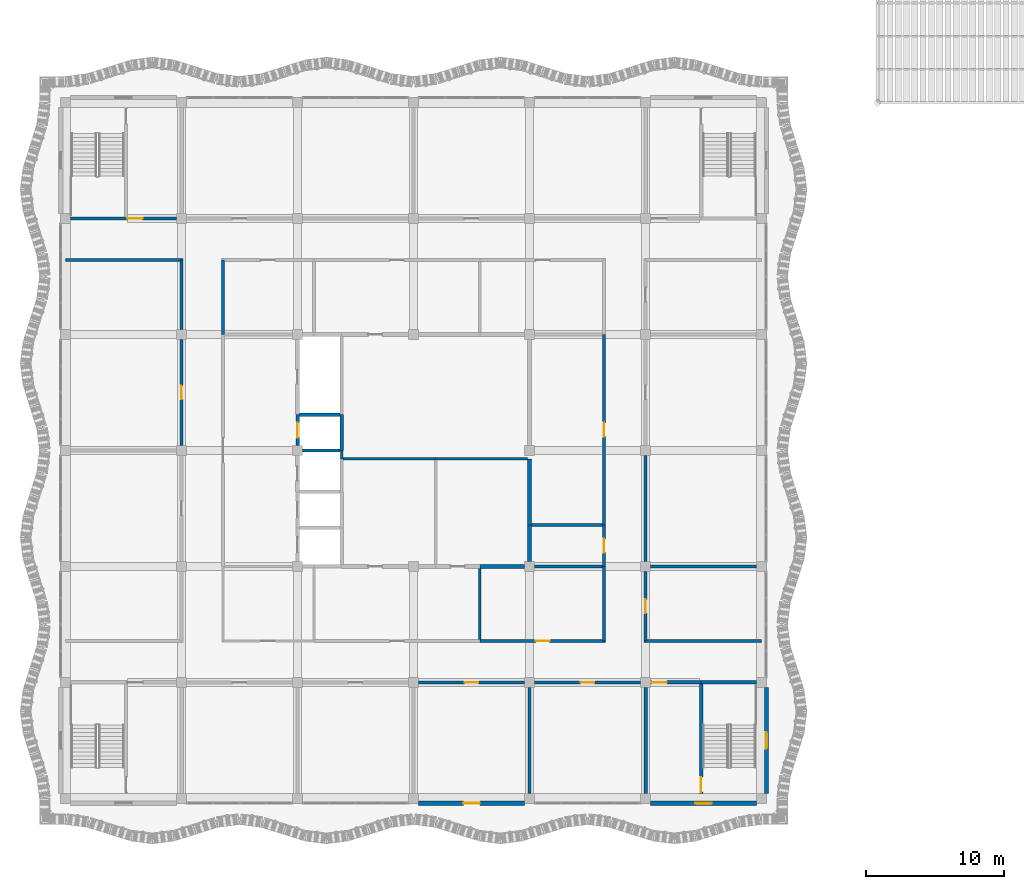
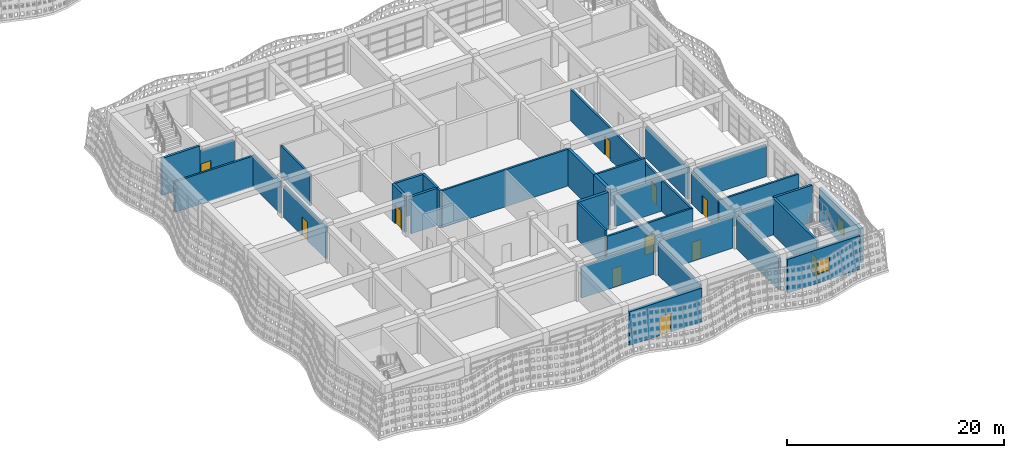
# One storey, part 79 of 162: 37 walls, 12 doors, 2 windows, 14 openings.
"""IFC4 building model written with IfcOpenShell, lengths in metres."""

from ifc_helpers import new_model, si_unit, direction, frame, frame_2d, origin, place, context, subcontext, project, spatial, rectangle, extrude, material, layer, layer_set, type_object, element, fill, save


model = new_model("IFC4")

# Units and contexts
model_context = context("Model", 3, precision=1e-05, world=origin(), true_north=direction((0.0, 1.0)))
body_context = subcontext(model_context, "Body", "Model", "MODEL_VIEW")
ifc_project = project(units=[si_unit("LENGTHUNIT", "METRE"), si_unit("AREAUNIT", "SQUARE_METRE"), si_unit("VOLUMEUNIT", "CUBIC_METRE"), si_unit("PLANEANGLEUNIT", "RADIAN"), si_unit("MASSUNIT", "GRAM", prefix="KILO")], contexts=[model_context])

# Site, building, storey
site_placement = place(None, origin())
site = spatial("IfcSite", under=ifc_project, at=site_placement, CompositionType="ELEMENT")
building_placement = place(site_placement, origin())
building = spatial("IfcBuilding", under=site, at=building_placement, Name="Rain Tree Exposition and Congress Centre", CompositionType="ELEMENT")
storey_placement = place(building_placement, frame((0.0, 0.0, 6.0)))
storey = spatial("IfcBuildingStorey", under=building, at=storey_placement, Name="L01", CompositionType="ELEMENT", Elevation=6.0)

# Wall, opening, door
ifc_material_1 = material(Name="Plasterboard on steel stud", Category="steel")
ifc_layer_1 = layer(ifc_material_1, 0.199951171875)
ifc_layer_set_1 = layer_set([ifc_layer_1], Name="Plasterboard on steel stud")
wall_type_1 = type_object("IfcWallType", Name="Wing acoustic partition 200", PredefinedType="PARTITIONING", material=ifc_layer_set_1)
wall_1_placement = place(storey_placement, frame((25.550048828125, 8.39990234375, 0.0), z_axis=(0.0, 0.0, 1.0), x_axis=(1.0, 0.0, 0.0)))
wall_1 = element("IfcWall", 1, at=wall_1_placement, inside=storey, type_object=wall_type_1, Name="wing/wall/L01/005", PredefinedType="PARTITIONING", context=body_context, shape_type="SweptSolid", body=[
    extrude(rectangle(XDim=7.699951171875, YDim=0.199951171875, at=frame_2d((3.85009765625, 0.0))), origin(), (0.0, 0.0, 1.0), 3.550048828125),
])
opening_1_placement = place(wall_1_placement, frame((3.35009765625, 0.0, 0.0)))
opening_1 = element("IfcOpeningElement", 2, at=opening_1_placement, cuts=wall_1, Name="Opening DW223", PredefinedType="OPENING", context=body_context, shape_type="SweptSolid", body=[
    extrude(rectangle(XDim=1.0, YDim=2.10009765625, at=frame_2d((0.5, 1.050048828125))), frame((0.0, 0.10009765625, 0.0), z_axis=(0.0, -1.0, 0.0), x_axis=(1.0, 0.0, 0.0)), (0.0, 0.0, 1.0), 0.199951171875),
])
ifc_material_2 = material(Name="Timber door leaf", Category="wood")
door_type_1 = type_object("IfcDoorType", Name="Wing door FD30S 1000x2100", OperationType="NOTDEFINED", PredefinedType="DOOR", material=ifc_material_2)
door_1_placement = place(opening_1_placement, origin())
door_1 = element("IfcDoor", 3, at=door_1_placement, inside=storey, type_object=door_type_1, Name="Door DW223", OperationType="SINGLE_SWING_LEFT", OverallHeight=2.10009765625, OverallWidth=1.0, PredefinedType="DOOR", context=body_context, shape_type="SweptSolid", body=[
    extrude(rectangle(XDim=1.0, YDim=2.10009765625, at=frame_2d((0.5, 1.050048828125))), frame((0.0, 0.02490234375, 0.0), z_axis=(0.0, -1.0, 0.0), x_axis=(1.0, 0.0, 0.0)), (0.0, 0.0, 1.0), 0.050048828125),
])
fill(opening_1, door_1)

wall_2_placement = place(storey_placement, frame((33.949951171875, 8.39990234375, 0.0), z_axis=(0.0, 0.0, 1.0), x_axis=(1.0, 0.0, 0.0)))
wall_2 = element("IfcWall", 4, at=wall_2_placement, inside=storey, type_object=wall_type_1, Name="wing/wall/L01/006", PredefinedType="PARTITIONING", context=body_context, shape_type="SweptSolid", body=[
    extrude(rectangle(XDim=7.699951171875, YDim=0.199951171875, at=frame_2d((3.85009765625, 0.0))), origin(), (0.0, 0.0, 1.0), 3.550048828125),
])
opening_2_placement = place(wall_2_placement, frame((3.35009765625, 0.0, 0.0)))
opening_2 = element("IfcOpeningElement", 5, at=opening_2_placement, cuts=wall_2, Name="Opening DW224", PredefinedType="OPENING", context=body_context, shape_type="SweptSolid", body=[
    extrude(rectangle(XDim=1.0, YDim=2.10009765625, at=frame_2d((0.5, 1.050048828125))), frame((0.0, 0.10009765625, 0.0), z_axis=(0.0, -1.0, 0.0), x_axis=(1.0, 0.0, 0.0)), (0.0, 0.0, 1.0), 0.199951171875),
])
door_2_placement = place(opening_2_placement, origin())
door_2 = element("IfcDoor", 6, at=door_2_placement, inside=storey, type_object=door_type_1, Name="Door DW224", OperationType="SINGLE_SWING_LEFT", OverallHeight=2.10009765625, OverallWidth=1.0, PredefinedType="DOOR", context=body_context, shape_type="SweptSolid", body=[
    extrude(rectangle(XDim=1.0, YDim=2.10009765625, at=frame_2d((0.5, 1.050048828125))), frame((0.0, 0.02490234375, 0.0), z_axis=(0.0, -1.0, 0.0), x_axis=(1.0, 0.0, 0.0)), (0.0, 0.0, 1.0), 0.050048828125),
])
fill(opening_2, door_2)

wall_3_placement = place(storey_placement, frame((30.0, 11.39990234375, 0.0), z_axis=(0.0, 0.0, 1.0), x_axis=(1.0, 0.0, 0.0)))
wall_3 = element("IfcWall", 7, at=wall_3_placement, inside=storey, type_object=wall_type_1, Name="wing/wall/L01/012", PredefinedType="PARTITIONING", context=body_context, shape_type="SweptSolid", body=[
    extrude(rectangle(XDim=9.10009765625, YDim=0.199951171875, at=frame_2d((4.550048828125, 0.0))), origin(), (0.0, 0.0, 1.0), 3.550048828125),
])
opening_3_placement = place(wall_3_placement, frame((4.050048828125, 0.0, 0.0)))
opening_3 = element("IfcOpeningElement", 8, at=opening_3_placement, cuts=wall_3, Name="Opening DW233", PredefinedType="OPENING", context=body_context, shape_type="SweptSolid", body=[
    extrude(rectangle(XDim=1.0, YDim=2.10009765625, at=frame_2d((0.5, 1.050048828125))), frame((0.0, 0.10009765625, 0.0), z_axis=(0.0, -1.0, 0.0), x_axis=(1.0, 0.0, 0.0)), (0.0, 0.0, 1.0), 0.199951171875),
])
door_3_placement = place(opening_3_placement, origin())
door_3 = element("IfcDoor", 9, at=door_3_placement, inside=storey, type_object=door_type_1, Name="Door DW233", OperationType="SINGLE_SWING_LEFT", OverallHeight=2.10009765625, OverallWidth=1.0, PredefinedType="DOOR", context=body_context, shape_type="SweptSolid", body=[
    extrude(rectangle(XDim=1.0, YDim=2.10009765625, at=frame_2d((0.5, 1.050048828125))), frame((0.0, 0.02490234375, 0.0), z_axis=(0.0, -1.0, 0.0), x_axis=(1.0, 0.0, 0.0)), (0.0, 0.0, 1.0), 0.050048828125),
])
fill(opening_3, door_3)

# Walls
wall_4_placement = place(storey_placement, frame((41.89990234375, 11.39990234375, 0.0), z_axis=(0.0, 0.0, 1.0), x_axis=(1.0, 0.0, 0.0)))
element("IfcWall", 10, at=wall_4_placement, inside=storey, type_object=wall_type_1, Name="wing/wall/L01/013", PredefinedType="PARTITIONING", context=body_context, shape_type="SweptSolid", body=[
    extrude(rectangle(XDim=8.5, YDim=0.199951171875, at=frame_2d((4.25, 0.0))), origin(), (0.0, 0.0, 1.0), 3.449951171875),
])
wall_5_placement = place(storey_placement, frame((33.949951171875, 16.800048828125, 0.0), z_axis=(0.0, 0.0, 1.0), x_axis=(1.0, 0.0, 0.0)))
element("IfcWall", 11, at=wall_5_placement, inside=storey, type_object=wall_type_1, Name="wing/wall/L01/021", PredefinedType="PARTITIONING", context=body_context, shape_type="SweptSolid", body=[
    extrude(rectangle(XDim=4.949951171875, YDim=0.199951171875, at=frame_2d((2.47509765625, 0.0))), origin(), (0.0, 0.0, 1.0), 3.550048828125),
])
wall_6_placement = place(storey_placement, frame((42.35009765625, 16.800048828125, 0.0), z_axis=(0.0, 0.0, 1.0), x_axis=(1.0, 0.0, 0.0)))
element("IfcWall", 12, at=wall_6_placement, inside=storey, type_object=wall_type_1, Name="wing/wall/L01/022", PredefinedType="PARTITIONING", context=body_context, shape_type="SweptSolid", body=[
    extrude(rectangle(XDim=7.699951171875, YDim=0.199951171875, at=frame_2d((3.85009765625, 0.0))), origin(), (0.0, 0.0, 1.0), 3.550048828125),
])
wall_7_placement = place(storey_placement, frame((33.75, 19.800048828125, 0.0), z_axis=(0.0, 0.0, 1.0), x_axis=(1.0, 0.0, 0.0)))
element("IfcWall", 13, at=wall_7_placement, inside=storey, type_object=wall_type_1, Name="wing/wall/L01/024", PredefinedType="PARTITIONING", context=body_context, shape_type="SweptSolid", body=[
    extrude(rectangle(XDim=5.14990234375, YDim=0.199951171875, at=frame_2d((2.574951171875, 0.0))), origin(), (0.0, 0.0, 1.0), 4.14990234375),
])
wall_8_placement = place(storey_placement, frame((0.0, 39.0, 0.0), z_axis=(0.0, 0.0, 1.0), x_axis=(1.0, 0.0, 0.0)))
element("IfcWall", 14, at=wall_8_placement, inside=storey, type_object=wall_type_1, Name="wing/wall/L01/039", PredefinedType="PARTITIONING", context=body_context, shape_type="SweptSolid", body=[
    extrude(rectangle(XDim=8.5, YDim=0.199951171875, at=frame_2d((4.25, 0.0))), origin(), (0.0, 0.0, 1.0), 3.449951171875),
])

# Wall, opening, door
wall_9_placement = place(storey_placement, frame((8.39990234375, 25.550048828125, 0.0), z_axis=(0.0, 0.0, 1.0), x_axis=(0.0, 1.0, 0.0)))
wall_9 = element("IfcWall", 15, at=wall_9_placement, inside=storey, type_object=wall_type_1, Name="wing/wall/L01/057", PredefinedType="PARTITIONING", context=body_context, shape_type="SweptSolid", body=[
    extrude(rectangle(XDim=7.699951171875, YDim=0.199951171875, at=frame_2d((3.85009765625, 0.0))), origin(), (0.0, 0.0, 1.0), 3.550048828125),
])
opening_4_placement = place(wall_9_placement, frame((3.35009765625, 0.0, 0.0)))
opening_4 = element("IfcOpeningElement", 16, at=opening_4_placement, cuts=wall_9, Name="Opening DW229", PredefinedType="OPENING", context=body_context, shape_type="SweptSolid", body=[
    extrude(rectangle(XDim=1.0, YDim=2.10009765625, at=frame_2d((0.5, 1.050048828125))), frame((0.0, 0.10009765625, 0.0), z_axis=(0.0, -1.0, 0.0), x_axis=(1.0, 0.0, 0.0)), (0.0, 0.0, 1.0), 0.199951171875),
])
door_4_placement = place(opening_4_placement, origin())
door_4 = element("IfcDoor", 17, at=door_4_placement, inside=storey, type_object=door_type_1, Name="Door DW229", OperationType="SINGLE_SWING_LEFT", OverallHeight=2.10009765625, OverallWidth=1.0, PredefinedType="DOOR", context=body_context, shape_type="SweptSolid", body=[
    extrude(rectangle(XDim=1.0, YDim=2.10009765625, at=frame_2d((0.5, 1.050048828125))), frame((0.0, 0.02490234375, 0.0), z_axis=(0.0, -1.0, 0.0), x_axis=(1.0, 0.0, 0.0)), (0.0, 0.0, 1.0), 0.050048828125),
])
fill(opening_4, door_4)

# Walls
wall_10_placement = place(storey_placement, frame((8.39990234375, 33.949951171875, 0.0), z_axis=(0.0, 0.0, 1.0), x_axis=(0.0, 1.0, 0.0)))
element("IfcWall", 18, at=wall_10_placement, inside=storey, type_object=wall_type_1, Name="wing/wall/L01/058", PredefinedType="PARTITIONING", context=body_context, shape_type="SweptSolid", body=[
    extrude(rectangle(XDim=5.050048828125, YDim=0.199951171875, at=frame_2d((2.52490234375, 0.0))), origin(), (0.0, 0.0, 1.0), 3.550048828125),
])
wall_11_placement = place(storey_placement, frame((11.39990234375, 33.60009765625, 0.0), z_axis=(0.0, 0.0, 1.0), x_axis=(0.0, 1.0, 0.0)))
element("IfcWall", 19, at=wall_11_placement, inside=storey, type_object=wall_type_1, Name="wing/wall/L01/062", PredefinedType="PARTITIONING", context=body_context, shape_type="SweptSolid", body=[
    extrude(rectangle(XDim=5.39990234375, YDim=0.199951171875, at=frame_2d((2.699951171875, 0.0))), origin(), (0.0, 0.0, 1.0), 3.550048828125),
])
wall_12_placement = place(storey_placement, frame((30.0, 11.5, 0.0), z_axis=(0.0, 0.0, 1.0), x_axis=(0.0, 1.0, 0.0)))
element("IfcWall", 20, at=wall_12_placement, inside=storey, type_object=wall_type_1, Name="wing/wall/L01/080", PredefinedType="PARTITIONING", context=body_context, shape_type="SweptSolid", body=[
    extrude(rectangle(XDim=5.14990234375, YDim=0.199951171875, at=frame_2d((2.574951171875, 0.0))), origin(), (0.0, 0.0, 1.0), 4.14990234375),
])
wall_13_placement = place(storey_placement, frame((33.60009765625, 0.35009765625, 0.0), z_axis=(0.0, 0.0, 1.0), x_axis=(0.0, 1.0, 0.0)))
element("IfcWall", 21, at=wall_13_placement, inside=storey, type_object=wall_type_1, Name="wing/wall/L01/082", PredefinedType="PARTITIONING", context=body_context, shape_type="SweptSolid", body=[
    extrude(rectangle(XDim=7.699951171875, YDim=0.199951171875, at=frame_2d((3.85009765625, 0.0))), origin(), (0.0, 0.0, 1.0), 3.550048828125),
])
wall_14_placement = place(storey_placement, frame((39.0, 11.39990234375, 0.0), z_axis=(0.0, 0.0, 1.0), x_axis=(0.0, 1.0, 0.0)))
element("IfcWall", 22, at=wall_14_placement, inside=storey, type_object=wall_type_1, Name="wing/wall/L01/086", PredefinedType="PARTITIONING", context=body_context, shape_type="SweptSolid", body=[
    extrude(rectangle(XDim=5.400146484375, YDim=0.199951171875, at=frame_2d((2.7001953125, 0.0))), origin(), (0.0, 0.0, 1.0), 3.550048828125),
])

# Wall, opening, door
wall_15_placement = place(storey_placement, frame((39.0, 16.800048828125, 0.0), z_axis=(0.0, 0.0, 1.0), x_axis=(0.0, 1.0, 0.0)))
wall_15 = element("IfcWall", 23, at=wall_15_placement, inside=storey, type_object=wall_type_1, Name="wing/wall/L01/087", PredefinedType="PARTITIONING", context=body_context, shape_type="SweptSolid", body=[
    extrude(rectangle(XDim=3.0, YDim=0.199951171875, at=frame_2d((1.5, 0.0))), origin(), (0.0, 0.0, 1.0), 3.550048828125),
])
opening_5_placement = place(wall_15_placement, frame((1.0, 0.0, 0.0)))
opening_5 = element("IfcOpeningElement", 24, at=opening_5_placement, cuts=wall_15, Name="Opening DW220", PredefinedType="OPENING", context=body_context, shape_type="SweptSolid", body=[
    extrude(rectangle(XDim=1.0, YDim=2.10009765625, at=frame_2d((0.5, 1.050048828125))), frame((0.0, 0.10009765625, 0.0), z_axis=(0.0, -1.0, 0.0), x_axis=(1.0, 0.0, 0.0)), (0.0, 0.0, 1.0), 0.199951171875),
])
door_5_placement = place(opening_5_placement, origin())
door_5 = element("IfcDoor", 25, at=door_5_placement, inside=storey, type_object=door_type_1, Name="Door DW220", OperationType="SINGLE_SWING_LEFT", OverallHeight=2.10009765625, OverallWidth=1.0, PredefinedType="DOOR", context=body_context, shape_type="SweptSolid", body=[
    extrude(rectangle(XDim=1.0, YDim=2.10009765625, at=frame_2d((0.5, 1.050048828125))), frame((0.0, 0.02490234375, 0.0), z_axis=(0.0, -1.0, 0.0), x_axis=(1.0, 0.0, 0.0)), (0.0, 0.0, 1.0), 0.050048828125),
])
fill(opening_5, door_5)

wall_16_placement = place(storey_placement, frame((39.0, 19.800048828125, 0.0), z_axis=(0.0, 0.0, 1.0), x_axis=(0.0, 1.0, 0.0)))
wall_16 = element("IfcWall", 26, at=wall_16_placement, inside=storey, type_object=wall_type_1, Name="wing/wall/L01/088", PredefinedType="PARTITIONING", context=body_context, shape_type="SweptSolid", body=[
    extrude(rectangle(XDim=13.800048828125, YDim=0.199951171875, at=frame_2d((6.89990234375, 0.0))), origin(), (0.0, 0.0, 1.0), 3.550048828125),
])
opening_6_placement = place(wall_16_placement, frame((6.39990234375, 0.0, 0.0)))
opening_6 = element("IfcOpeningElement", 27, at=opening_6_placement, cuts=wall_16, Name="Opening DW236", PredefinedType="OPENING", context=body_context, shape_type="SweptSolid", body=[
    extrude(rectangle(XDim=1.0, YDim=2.10009765625, at=frame_2d((0.5, 1.050048828125))), frame((0.0, 0.10009765625, 0.0), z_axis=(0.0, -1.0, 0.0), x_axis=(1.0, 0.0, 0.0)), (0.0, 0.0, 1.0), 0.199951171875),
])
door_6_placement = place(opening_6_placement, origin())
door_6 = element("IfcDoor", 28, at=door_6_placement, inside=storey, type_object=door_type_1, Name="Door DW236", OperationType="SINGLE_SWING_RIGHT", OverallHeight=2.10009765625, OverallWidth=1.0, PredefinedType="DOOR", context=body_context, shape_type="SweptSolid", body=[
    extrude(rectangle(XDim=1.0, YDim=2.10009765625, at=frame_2d((0.5, 1.050048828125))), frame((0.0, 0.02490234375, 0.0), z_axis=(0.0, -1.0, 0.0), x_axis=(1.0, 0.0, 0.0)), (0.0, 0.0, 1.0), 0.050048828125),
])
fill(opening_6, door_6)

wall_17_placement = place(storey_placement, frame((42.0, 11.39990234375, 0.0), z_axis=(0.0, 0.0, 1.0), x_axis=(0.0, 1.0, 0.0)))
wall_17 = element("IfcWall", 29, at=wall_17_placement, inside=storey, type_object=wall_type_1, Name="wing/wall/L01/091", PredefinedType="PARTITIONING", context=body_context, shape_type="SweptSolid", body=[
    extrude(rectangle(XDim=5.050048828125, YDim=0.199951171875, at=frame_2d((2.52490234375, 0.0))), origin(), (0.0, 0.0, 1.0), 3.550048828125),
])
opening_7_placement = place(wall_17_placement, frame((2.02490234375, 0.0, 0.0)))
opening_7 = element("IfcOpeningElement", 30, at=opening_7_placement, cuts=wall_17, Name="Opening DW225", PredefinedType="OPENING", context=body_context, shape_type="SweptSolid", body=[
    extrude(rectangle(XDim=1.0, YDim=2.10009765625, at=frame_2d((0.5, 1.050048828125))), frame((0.0, 0.10009765625, 0.0), z_axis=(0.0, -1.0, 0.0), x_axis=(1.0, 0.0, 0.0)), (0.0, 0.0, 1.0), 0.199951171875),
])
door_7_placement = place(opening_7_placement, origin())
door_7 = element("IfcDoor", 31, at=door_7_placement, inside=storey, type_object=door_type_1, Name="Door DW225", OperationType="SINGLE_SWING_LEFT", OverallHeight=2.10009765625, OverallWidth=1.0, PredefinedType="DOOR", context=body_context, shape_type="SweptSolid", body=[
    extrude(rectangle(XDim=1.0, YDim=2.10009765625, at=frame_2d((0.5, 1.050048828125))), frame((0.0, 0.02490234375, 0.0), z_axis=(0.0, -1.0, 0.0), x_axis=(1.0, 0.0, 0.0)), (0.0, 0.0, 1.0), 0.050048828125),
])
fill(opening_7, door_7)

# Walls
wall_18_placement = place(storey_placement, frame((42.0, 17.14990234375, 0.0), z_axis=(0.0, 0.0, 1.0), x_axis=(0.0, 1.0, 0.0)))
element("IfcWall", 32, at=wall_18_placement, inside=storey, type_object=wall_type_1, Name="wing/wall/L01/092", PredefinedType="PARTITIONING", context=body_context, shape_type="SweptSolid", body=[
    extrude(rectangle(XDim=7.7001953125, YDim=0.199951171875, at=frame_2d((3.85009765625, 0.0))), origin(), (0.0, 0.0, 1.0), 3.550048828125),
])
ifc_material_3 = material(Name="Concrete C40/50", Category="concrete")
ifc_layer_2 = layer(ifc_material_3, 0.300048828125)
ifc_layer_set_2 = layer_set([ifc_layer_2], Name="Concrete C40/50")
wall_type_2 = type_object("IfcWallType", Name="Wing core wall 300", PredefinedType="SHEAR", material=ifc_layer_set_2)
wall_19_placement = place(storey_placement, frame((30.0, 16.800048828125, 0.0), z_axis=(0.0, 0.0, 1.0), x_axis=(1.0, 0.0, 0.0)))
element("IfcWall", 33, at=wall_19_placement, inside=storey, type_object=wall_type_2, Name="wing/wall/L01/020", PredefinedType="SHEAR", context=body_context, shape_type="SweptSolid", body=[
    extrude(rectangle(XDim=3.25, YDim=0.300048828125, at=frame_2d((1.625, 0.0))), origin(), (0.0, 0.0, 1.0), 4.14990234375),
])
wall_20_placement = place(storey_placement, frame((33.60009765625, 17.14990234375, 0.0), z_axis=(0.0, 0.0, 1.0), x_axis=(0.0, 1.0, 0.0)))
element("IfcWall", 34, at=wall_20_placement, inside=storey, type_object=wall_type_2, Name="wing/wall/L01/083", PredefinedType="SHEAR", context=body_context, shape_type="SweptSolid", body=[
    extrude(rectangle(XDim=2.650146484375, YDim=0.300048828125, at=frame_2d((1.3251953125, 0.0))), origin(), (0.0, 0.0, 1.0), 4.14990234375),
])
wall_21_placement = place(storey_placement, frame((33.60009765625, 19.800048828125, 0.0), z_axis=(0.0, 0.0, 1.0), x_axis=(0.0, 1.0, 0.0)))
element("IfcWall", 35, at=wall_21_placement, inside=storey, type_object=wall_type_2, Name="wing/wall/L01/084", PredefinedType="SHEAR", context=body_context, shape_type="SweptSolid", body=[
    extrude(rectangle(XDim=4.800048828125, YDim=0.300048828125, at=frame_2d((2.39990234375, 0.0))), origin(), (0.0, 0.0, 1.0), 4.14990234375),
])

# Wall, opening, door
ifc_material_4 = material(Name="Insulated cavity wall")
ifc_layer_3 = layer(ifc_material_4, 0.300048828125)
ifc_layer_set_3 = layer_set([ifc_layer_3], Name="Insulated cavity wall")
wall_type_3 = type_object("IfcWallType", Name="Wing external wall 300", PredefinedType="SOLIDWALL", material=ifc_layer_set_3)
wall_22_placement = place(storey_placement, frame((25.550048828125, -0.35009765625, 0.0), z_axis=(0.0, 0.0, 1.0), x_axis=(1.0, 0.0, 0.0)))
wall_22 = element("IfcWall", 36, at=wall_22_placement, inside=storey, type_object=wall_type_3, Name="wing/facade/L01/S3", PredefinedType="SOLIDWALL", context=body_context, shape_type="SweptSolid", body=[
    extrude(rectangle(XDim=7.699951171875, YDim=0.300048828125, at=frame_2d((3.85009765625, 0.0))), origin(), (0.0, 0.0, 1.0), 3.800048828125),
])
opening_8_placement = place(wall_22_placement, frame((3.25, 0.0, 0.0)))
opening_8 = element("IfcOpeningElement", 37, at=opening_8_placement, cuts=wall_22, Name="Opening DW251", PredefinedType="OPENING", context=body_context, shape_type="SweptSolid", body=[
    extrude(rectangle(XDim=1.199951171875, YDim=2.10009765625, at=frame_2d((0.60009765625, 1.050048828125))), frame((0.0, 0.14990234375, 0.0), z_axis=(0.0, -1.0, 0.0), x_axis=(1.0, 0.0, 0.0)), (0.0, 0.0, 1.0), 0.300048828125),
])
ifc_material_5 = material(Name="Steel door leaf", Category="steel")
door_type_2 = type_object("IfcDoorType", Name="Wing exit door 1200x2100", OperationType="NOTDEFINED", PredefinedType="DOOR", material=ifc_material_5)
door_8_placement = place(opening_8_placement, origin())
door_8 = element("IfcDoor", 38, at=door_8_placement, inside=storey, type_object=door_type_2, Name="Door DW251", OperationType="SINGLE_SWING_RIGHT", OverallHeight=2.10009765625, OverallWidth=1.199951171875, PredefinedType="DOOR", context=body_context, shape_type="SweptSolid", body=[
    extrude(rectangle(XDim=1.199951171875, YDim=2.10009765625, at=frame_2d((0.60009765625, 1.050048828125))), frame((0.0, 0.02490234375, 0.0), z_axis=(0.0, -1.0, 0.0), x_axis=(1.0, 0.0, 0.0)), (0.0, 0.0, 1.0), 0.050048828125),
])
fill(opening_8, door_8)

# Wall, opening, window
wall_23_placement = place(storey_placement, frame((42.35009765625, -0.35009765625, 0.0), z_axis=(0.0, 0.0, 1.0), x_axis=(1.0, 0.0, 0.0)))
wall_23 = element("IfcWall", 39, at=wall_23_placement, inside=storey, type_object=wall_type_3, Name="wing/facade/L01/S5", PredefinedType="SOLIDWALL", context=body_context, shape_type="SweptSolid", body=[
    extrude(rectangle(XDim=7.699951171875, YDim=0.300048828125, at=frame_2d((3.85009765625, 0.0))), origin(), (0.0, 0.0, 1.0), 3.800048828125),
])
opening_9_placement = place(wall_23_placement, frame((3.25, 0.0, 1.0)))
opening_9 = element("IfcOpeningElement", 40, at=opening_9_placement, cuts=wall_23, Name="Opening WW202", PredefinedType="OPENING", context=body_context, shape_type="SweptSolid", body=[
    extrude(rectangle(XDim=1.199951171875, YDim=1.5, at=frame_2d((0.60009765625, 0.75))), frame((0.0, 0.14990234375, 0.0), z_axis=(0.0, -1.0, 0.0), x_axis=(1.0, 0.0, 0.0)), (0.0, 0.0, 1.0), 0.300048828125),
])
ifc_material_6 = material(Name="Aluminium framed glazing", Category="aluminium")
window_type = type_object("IfcWindowType", Name="Wing window 1200x1500", PartitioningType="SINGLE_PANEL", PredefinedType="WINDOW", material=ifc_material_6)
window_1_placement = place(opening_9_placement, origin())
window_1 = element("IfcWindow", 41, at=window_1_placement, inside=storey, type_object=window_type, Name="wing/window/L01/02", OverallHeight=1.5, OverallWidth=1.199951171875, PartitioningType="SINGLE_PANEL", PredefinedType="WINDOW", context=body_context, shape_type="SweptSolid", body=[
    extrude(rectangle(XDim=1.199951171875, YDim=1.5, at=frame_2d((0.60009765625, 0.75))), frame((0.0, 0.030029296875, 0.0), z_axis=(0.0, -1.0, 0.0), x_axis=(1.0, 0.0, 0.0)), (0.0, 0.0, 1.0), 0.06005859375),
])
fill(opening_9, window_1)

wall_24_placement = place(storey_placement, frame((50.75, 0.35009765625, 0.0), z_axis=(0.0, 0.0, 1.0), x_axis=(0.0, 1.0, 0.0)))
wall_24 = element("IfcWall", 42, at=wall_24_placement, inside=storey, type_object=wall_type_3, Name="wing/facade/L01/E0", PredefinedType="SOLIDWALL", context=body_context, shape_type="SweptSolid", body=[
    extrude(rectangle(XDim=7.699951171875, YDim=0.300048828125, at=frame_2d((3.85009765625, 0.0))), origin(), (0.0, 0.0, 1.0), 3.800048828125),
])
opening_10_placement = place(wall_24_placement, frame((3.25, 0.0, 1.0)))
opening_10 = element("IfcOpeningElement", 43, at=opening_10_placement, cuts=wall_24, Name="Opening WW207", PredefinedType="OPENING", context=body_context, shape_type="SweptSolid", body=[
    extrude(rectangle(XDim=1.199951171875, YDim=1.5, at=frame_2d((0.60009765625, 0.75))), frame((0.0, 0.14990234375, 0.0), z_axis=(0.0, -1.0, 0.0), x_axis=(1.0, 0.0, 0.0)), (0.0, 0.0, 1.0), 0.300048828125),
])
window_2_placement = place(opening_10_placement, origin())
window_2 = element("IfcWindow", 44, at=window_2_placement, inside=storey, type_object=window_type, Name="wing/window/L01/07", OverallHeight=1.5, OverallWidth=1.199951171875, PartitioningType="SINGLE_PANEL", PredefinedType="WINDOW", context=body_context, shape_type="SweptSolid", body=[
    extrude(rectangle(XDim=1.199951171875, YDim=1.5, at=frame_2d((0.60009765625, 0.75))), frame((0.0, 0.030029296875, 0.0), z_axis=(0.0, -1.0, 0.0), x_axis=(1.0, 0.0, 0.0)), (0.0, 0.0, 1.0), 0.06005859375),
])
fill(opening_10, window_2)

# Walls
ifc_material_7 = material(Name="Concrete C40/50", Category="concrete")
ifc_layer_4 = layer(ifc_material_7, 0.25)
ifc_layer_set_4 = layer_set([ifc_layer_4], Name="Concrete C40/50")
wall_type_4 = type_object("IfcWallType", Name="Wing lift shaft wall 250", PredefinedType="SHEAR", material=ifc_layer_set_4)
wall_25_placement = place(storey_placement, frame((17.14990234375, 25.199951171875, 0.0), z_axis=(0.0, 0.0, 1.0), x_axis=(1.0, 0.0, 0.0)))
element("IfcWall", 45, at=wall_25_placement, inside=storey, type_object=wall_type_4, Name="wing/wall/L01/029", PredefinedType="SHEAR", context=body_context, shape_type="SweptSolid", body=[
    extrude(rectangle(XDim=2.72509765625, YDim=0.25, at=frame_2d((1.362548828125, 0.0))), origin(), (0.0, 0.0, 1.0), 4.14990234375),
])
wall_26_placement = place(storey_placement, frame((16.949951171875, 27.800048828125, 0.0), z_axis=(0.0, 0.0, 1.0), x_axis=(1.0, 0.0, 0.0)))
element("IfcWall", 46, at=wall_26_placement, inside=storey, type_object=wall_type_4, Name="wing/wall/L01/030", PredefinedType="SHEAR", context=body_context, shape_type="SweptSolid", body=[
    extrude(rectangle(XDim=2.925048828125, YDim=0.25, at=frame_2d((1.46240234375, 0.0))), origin(), (0.0, 0.0, 1.0), 4.14990234375),
])

# Wall, opening, door
wall_27_placement = place(storey_placement, frame((16.800048828125, 25.550048828125, 0.0), z_axis=(0.0, 0.0, 1.0), x_axis=(0.0, 1.0, 0.0)))
wall_27 = element("IfcWall", 47, at=wall_27_placement, inside=storey, type_object=wall_type_4, Name="wing/wall/L01/067", PredefinedType="SHEAR", context=body_context, shape_type="SweptSolid", body=[
    extrude(rectangle(XDim=2.25, YDim=0.25, at=frame_2d((1.125, 0.0))), origin(), (0.0, 0.0, 1.0), 4.14990234375),
])
opening_11_placement = place(wall_27_placement, frame((0.574951171875, 0.0, 0.0)))
opening_11 = element("IfcOpeningElement", 48, at=opening_11_placement, cuts=wall_27, Name="Opening DW212", PredefinedType="OPENING", context=body_context, shape_type="SweptSolid", body=[
    extrude(rectangle(XDim=1.10009765625, YDim=2.10009765625, at=frame_2d((0.550048828125, 1.050048828125))), frame((0.0, 0.125, 0.0), z_axis=(0.0, -1.0, 0.0), x_axis=(1.0, 0.0, 0.0)), (0.0, 0.0, 1.0), 0.25),
])
ifc_material_8 = material(Name="Stainless steel", Category="steel")
door_type_3 = type_object("IfcDoorType", Name="Lift landing door 1100x2100", OperationType="DOUBLE_DOOR_SLIDING", PredefinedType="DOOR", material=ifc_material_8)
door_9_placement = place(opening_11_placement, origin())
door_9 = element("IfcDoor", 49, at=door_9_placement, inside=storey, type_object=door_type_3, Name="Landing door DW212", OperationType="DOUBLE_DOOR_SLIDING", OverallHeight=2.10009765625, OverallWidth=1.10009765625, PredefinedType="DOOR", context=body_context, shape_type="SweptSolid", body=[
    extrude(rectangle(XDim=1.10009765625, YDim=2.10009765625, at=frame_2d((0.550048828125, 1.050048828125))), frame((0.0, 0.02490234375, 0.0), z_axis=(0.0, -1.0, 0.0), x_axis=(1.0, 0.0, 0.0)), (0.0, 0.0, 1.0), 0.050048828125),
])
fill(opening_11, door_9)

# Walls
wall_28_placement = place(storey_placement, frame((20.0, 25.199951171875, 0.0), z_axis=(0.0, 0.0, 1.0), x_axis=(0.0, 1.0, 0.0)))
element("IfcWall", 50, at=wall_28_placement, inside=storey, type_object=wall_type_4, Name="wing/wall/L01/075", PredefinedType="SHEAR", context=body_context, shape_type="SweptSolid", body=[
    extrude(rectangle(XDim=2.60009765625, YDim=0.25, at=frame_2d((1.300048828125, 0.0))), origin(), (0.0, 0.0, 1.0), 4.14990234375),
])
ifc_material_9 = material(Name="Dense blockwork", Category="masonry")
ifc_layer_5 = layer(ifc_material_9, 0.199951171875)
ifc_layer_set_5 = layer_set([ifc_layer_5], Name="Dense blockwork")
wall_type_5 = type_object("IfcWallType", Name="Wing plant room wall 200", PredefinedType="SOLIDWALL", material=ifc_layer_set_5)
wall_29_placement = place(storey_placement, frame((20.10009765625, 24.60009765625, 0.0), z_axis=(0.0, 0.0, 1.0), x_axis=(1.0, 0.0, 0.0)))
element("IfcWall", 51, at=wall_29_placement, inside=storey, type_object=wall_type_5, Name="wing/wall/L01/026", PredefinedType="SOLIDWALL", context=body_context, shape_type="SweptSolid", body=[
    extrude(rectangle(XDim=6.699951171875, YDim=0.199951171875, at=frame_2d((3.35009765625, 0.0))), origin(), (0.0, 0.0, 1.0), 4.14990234375),
])
wall_30_placement = place(storey_placement, frame((26.800048828125, 24.60009765625, 0.0), z_axis=(0.0, 0.0, 1.0), x_axis=(1.0, 0.0, 0.0)))
element("IfcWall", 52, at=wall_30_placement, inside=storey, type_object=wall_type_5, Name="wing/wall/L01/027", PredefinedType="SOLIDWALL", context=body_context, shape_type="SweptSolid", body=[
    extrude(rectangle(XDim=6.64990234375, YDim=0.199951171875, at=frame_2d((3.324951171875, 0.0))), origin(), (0.0, 0.0, 1.0), 4.14990234375),
])
wall_31_placement = place(storey_placement, frame((20.0, 24.60009765625, 0.0), z_axis=(0.0, 0.0, 1.0), x_axis=(0.0, 1.0, 0.0)))
element("IfcWall", 53, at=wall_31_placement, inside=storey, type_object=wall_type_5, Name="wing/wall/L01/074", PredefinedType="SOLIDWALL", context=body_context, shape_type="SweptSolid", body=[
    extrude(rectangle(XDim=0.599853515625, YDim=0.199951171875, at=frame_2d((0.2998046875, 0.0))), origin(), (0.0, 0.0, 1.0), 4.14990234375),
])

# Wall, opening, door
ifc_material_10 = material(Name="Concrete C40/50", Category="concrete")
ifc_layer_6 = layer(ifc_material_10, 0.25)
ifc_layer_set_6 = layer_set([ifc_layer_6], Name="Concrete C40/50")
wall_type_6 = type_object("IfcWallType", Name="Wing stair wall 250", PredefinedType="SHEAR", material=ifc_layer_set_6)
wall_32_placement = place(storey_placement, frame((42.35009765625, 8.39990234375, 0.0), z_axis=(0.0, 0.0, 1.0), x_axis=(1.0, 0.0, 0.0)))
wall_32 = element("IfcWall", 54, at=wall_32_placement, inside=storey, type_object=wall_type_6, Name="wing/wall/L01/007", PredefinedType="SHEAR", context=body_context, shape_type="SweptSolid", body=[
    extrude(rectangle(XDim=3.6748046875, YDim=0.25, at=frame_2d((1.83740234375, 0.0))), origin(), (0.0, 0.0, 1.0), 3.550048828125),
])
opening_12_placement = place(wall_32_placement, frame((0.10009765625, 0.0, 0.0)))
opening_12 = element("IfcOpeningElement", 55, at=opening_12_placement, cuts=wall_32, Name="Opening DW204", PredefinedType="OPENING", context=body_context, shape_type="SweptSolid", body=[
    extrude(rectangle(XDim=1.10009765625, YDim=2.10009765625, at=frame_2d((0.550048828125, 1.050048828125))), frame((0.0, 0.125, 0.0), z_axis=(0.0, -1.0, 0.0), x_axis=(1.0, 0.0, 0.0)), (0.0, 0.0, 1.0), 0.25),
])
ifc_material_11 = material(Name="Timber door leaf", Category="wood")
door_type_4 = type_object("IfcDoorType", Name="Wing door FD60 1100x2100", OperationType="NOTDEFINED", PredefinedType="DOOR", material=ifc_material_11)
door_10_placement = place(opening_12_placement, origin())
door_10 = element("IfcDoor", 56, at=door_10_placement, inside=storey, type_object=door_type_4, Name="Door DW204", OperationType="SINGLE_SWING_LEFT", OverallHeight=2.10009765625, OverallWidth=1.10009765625, PredefinedType="DOOR", context=body_context, shape_type="SweptSolid", body=[
    extrude(rectangle(XDim=1.10009765625, YDim=2.10009765625, at=frame_2d((0.550048828125, 1.050048828125))), frame((0.0, 0.02490234375, 0.0), z_axis=(0.0, -1.0, 0.0), x_axis=(1.0, 0.0, 0.0)), (0.0, 0.0, 1.0), 0.050048828125),
])
fill(opening_12, door_10)

# Walls
wall_33_placement = place(storey_placement, frame((46.02490234375, 8.39990234375, 0.0), z_axis=(0.0, 0.0, 1.0), x_axis=(1.0, 0.0, 0.0)))
element("IfcWall", 57, at=wall_33_placement, inside=storey, type_object=wall_type_6, Name="wing/wall/L01/008", PredefinedType="SHEAR", context=body_context, shape_type="SweptSolid", body=[
    extrude(rectangle(XDim=4.025146484375, YDim=0.25, at=frame_2d((2.0126953125, 0.0))), origin(), (0.0, 0.0, 1.0), 4.14990234375),
])
wall_34_placement = place(storey_placement, frame((0.35009765625, 42.0, 0.0), z_axis=(0.0, 0.0, 1.0), x_axis=(1.0, 0.0, 0.0)))
element("IfcWall", 58, at=wall_34_placement, inside=storey, type_object=wall_type_6, Name="wing/wall/L01/044", PredefinedType="SHEAR", context=body_context, shape_type="SweptSolid", body=[
    extrude(rectangle(XDim=4.02490234375, YDim=0.25, at=frame_2d((2.012451171875, 0.0))), origin(), (0.0, 0.0, 1.0), 4.14990234375),
])

# Wall, opening, door
wall_35_placement = place(storey_placement, frame((4.375, 42.0, 0.0), z_axis=(0.0, 0.0, 1.0), x_axis=(1.0, 0.0, 0.0)))
wall_35 = element("IfcWall", 59, at=wall_35_placement, inside=storey, type_object=wall_type_6, Name="wing/wall/L01/045", PredefinedType="SHEAR", context=body_context, shape_type="SweptSolid", body=[
    extrude(rectangle(XDim=3.675048828125, YDim=0.25, at=frame_2d((1.83740234375, 0.0))), origin(), (0.0, 0.0, 1.0), 3.550048828125),
])
opening_13_placement = place(wall_35_placement, frame((0.10009765625, 0.0, 0.0)))
opening_13 = element("IfcOpeningElement", 60, at=opening_13_placement, cuts=wall_35, Name="Opening DW206", PredefinedType="OPENING", context=body_context, shape_type="SweptSolid", body=[
    extrude(rectangle(XDim=1.10009765625, YDim=2.10009765625, at=frame_2d((0.550048828125, 1.050048828125))), frame((0.0, 0.125, 0.0), z_axis=(0.0, -1.0, 0.0), x_axis=(1.0, 0.0, 0.0)), (0.0, 0.0, 1.0), 0.25),
])
door_11_placement = place(opening_13_placement, origin())
door_11 = element("IfcDoor", 61, at=door_11_placement, inside=storey, type_object=door_type_4, Name="Door DW206", OperationType="SINGLE_SWING_LEFT", OverallHeight=2.10009765625, OverallWidth=1.10009765625, PredefinedType="DOOR", context=body_context, shape_type="SweptSolid", body=[
    extrude(rectangle(XDim=1.10009765625, YDim=2.10009765625, at=frame_2d((0.550048828125, 1.050048828125))), frame((0.0, 0.02490234375, 0.0), z_axis=(0.0, -1.0, 0.0), x_axis=(1.0, 0.0, 0.0)), (0.0, 0.0, 1.0), 0.050048828125),
])
fill(opening_13, door_11)

# Wall
wall_36_placement = place(storey_placement, frame((42.0, 0.35009765625, 0.0), z_axis=(0.0, 0.0, 1.0), x_axis=(0.0, 1.0, 0.0)))
element("IfcWall", 62, at=wall_36_placement, inside=storey, type_object=wall_type_6, Name="wing/wall/L01/090", PredefinedType="SHEAR", context=body_context, shape_type="SweptSolid", body=[
    extrude(rectangle(XDim=7.699951171875, YDim=0.25, at=frame_2d((3.85009765625, 0.0))), origin(), (0.0, 0.0, 1.0), 3.550048828125),
])

# Wall, opening, door
wall_37_placement = place(storey_placement, frame((46.02490234375, 0.35009765625, 0.0), z_axis=(0.0, 0.0, 1.0), x_axis=(0.0, 1.0, 0.0)))
wall_37 = element("IfcWall", 63, at=wall_37_placement, inside=storey, type_object=wall_type_6, Name="wing/wall/L01/096", PredefinedType="SHEAR", context=body_context, shape_type="SweptSolid", body=[
    extrude(rectangle(XDim=7.9248046875, YDim=0.25, at=frame_2d((3.96240234375, 0.0))), origin(), (0.0, 0.0, 1.0), 4.14990234375),
])
opening_14_placement = place(wall_37_placement, frame((0.10009765625, 0.0, 0.0)))
opening_14 = element("IfcOpeningElement", 64, at=opening_14_placement, cuts=wall_37, Name="Opening DW203", PredefinedType="OPENING", context=body_context, shape_type="SweptSolid", body=[
    extrude(rectangle(XDim=1.10009765625, YDim=2.10009765625, at=frame_2d((0.550048828125, 1.050048828125))), frame((0.0, 0.125, 0.0), z_axis=(0.0, -1.0, 0.0), x_axis=(1.0, 0.0, 0.0)), (0.0, 0.0, 1.0), 0.25),
])
door_12_placement = place(opening_14_placement, origin())
door_12 = element("IfcDoor", 65, at=door_12_placement, inside=storey, type_object=door_type_4, Name="Door DW203", OperationType="SINGLE_SWING_LEFT", OverallHeight=2.10009765625, OverallWidth=1.10009765625, PredefinedType="DOOR", context=body_context, shape_type="SweptSolid", body=[
    extrude(rectangle(XDim=1.10009765625, YDim=2.10009765625, at=frame_2d((0.550048828125, 1.050048828125))), frame((0.0, 0.02490234375, 0.0), z_axis=(0.0, -1.0, 0.0), x_axis=(1.0, 0.0, 0.0)), (0.0, 0.0, 1.0), 0.050048828125),
])
fill(opening_14, door_12)

save(model, "model.ifc")
